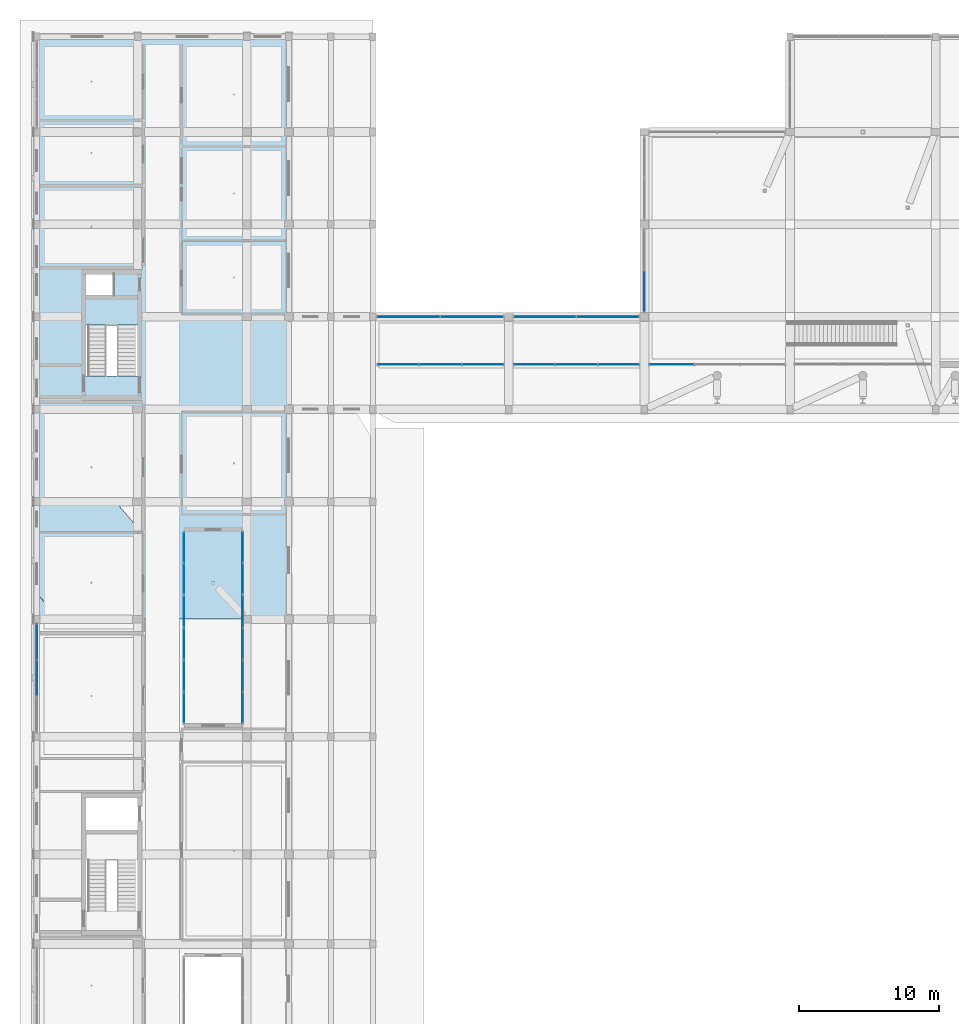
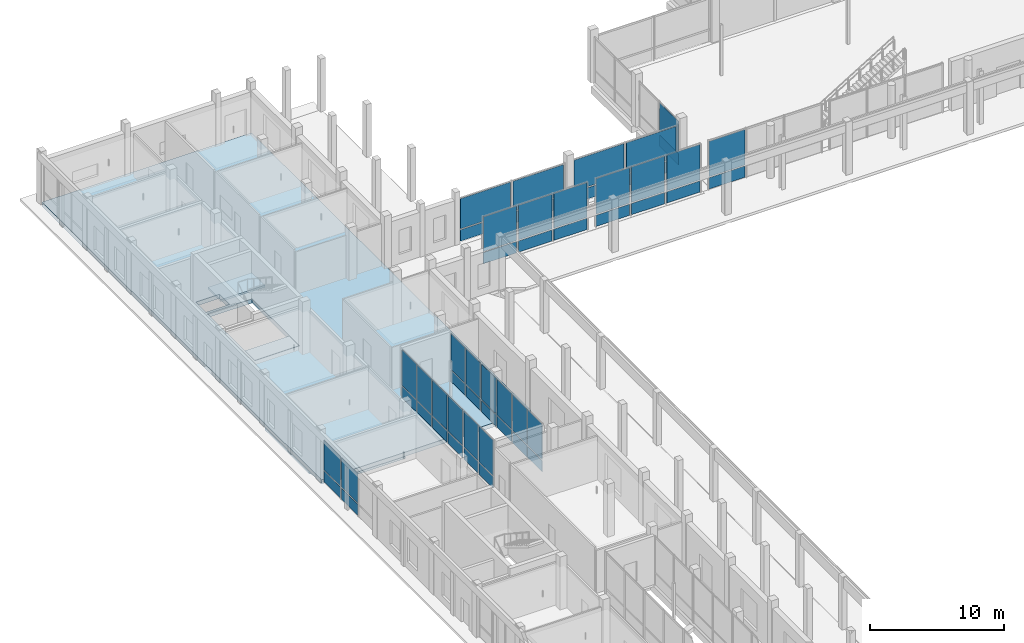
# One storey, part 41 of 88: 52 plates, 4 slabs, 14 elements without a shape of their own.
"""IFC4 building model written with IfcOpenShell, lengths in metres."""

import ifcopenshell
import ifcopenshell.guid

model = None  # the IFC model being written
_history = None  # IfcOwnerHistory: only IFC2X3 demands one
_inside = {}  # id of a spatial element -> (the spatial element, [elements in it])
_under = {}  # id of a project, library or spatial element -> (it, [spatial elements below it])
_declared = {}  # id of a project -> (the project, [libraries it declares])
_typed = {}  # id of a type object -> (the type object, [elements of that type])
_made_of = {}  # id of a material, layer set ... -> (it, [elements and type objects made of it])


def new_model(schema):
    """Start an empty IFC model of exactly this schema.

    Asked for "IFC4X3", IfcOpenShell would pick the latest addendum, in which some entities
    have other attributes; the version numbers below select the first issue.
    IFC2X3 requires an IfcOwnerHistory on every rooted entity: one is made here for all.
    """
    global model, _history
    if schema == "IFC4X3":
        model = ifcopenshell.file(schema_version=(4, 3, 0, 0))
    else:
        model = ifcopenshell.file(schema=schema)
    _inside.clear()
    _under.clear()
    _declared.clear()
    _typed.clear()
    _made_of.clear()
    _history = None
    if model.schema == "IFC2X3":
        org = make("IfcOrganization", Name="unknown")
        user = make(
            "IfcPersonAndOrganization",
            ThePerson=make("IfcPerson", FamilyName="unknown"),
            TheOrganization=org,
        )
        app = make(
            "IfcApplication",
            ApplicationDeveloper=org,
            Version="unknown",
            ApplicationFullName="unknown",
            ApplicationIdentifier="unknown",
        )
        _history = make(
            "IfcOwnerHistory",
            OwningUser=user,
            OwningApplication=app,
            ChangeAction="ADDED",
            CreationDate=0,
        )
    return model


def make(cls, **values):
    """One entity of the class cls with the attributes given. An attribute that is None is left unset."""
    return model.create_entity(
        cls, **{name: value for name, value in values.items() if value is not None}
    )


def rooted(cls, **values):
    """An entity with a GlobalId (a new one), such as an element, a storey or a relation."""
    return make(cls, GlobalId=ifcopenshell.guid.new(), OwnerHistory=_history, **values)


def si_unit(unit_type, name, prefix=None):
    """IfcSIUnit, for example si_unit("LENGTHUNIT", "METRE", prefix="MILLI")."""
    return make("IfcSIUnit", UnitType=unit_type, Prefix=prefix, Name=name)


def derived_unit(unit_type, elements):
    """IfcDerivedUnit: a product of units, each with its exponent."""
    return make(
        "IfcDerivedUnit",
        Elements=[
            make("IfcDerivedUnitElement", Unit=unit, Exponent=power)
            for unit, power in elements
        ],
        UnitType=unit_type,
    )


def assignment(units):
    """IfcUnitAssignment: the units of a project."""
    return None if units is None else make("IfcUnitAssignment", Units=units)


def point(xyz):
    """IfcCartesianPoint."""
    return None if xyz is None else make("IfcCartesianPoint", Coordinates=xyz)


def direction(xyz):
    """IfcDirection."""
    return None if xyz is None else make("IfcDirection", DirectionRatios=xyz)


def frame(location, z_axis=None, x_axis=None):
    """IfcAxis2Placement3D, a coordinate frame: its origin and axes. An axis left out is left unset."""
    return make(
        "IfcAxis2Placement3D",
        Location=point(location),
        Axis=direction(z_axis),
        RefDirection=direction(x_axis),
    )


def frame_2d(location, x_axis=None):
    """IfcAxis2Placement2D, a coordinate frame in the plane: its origin and x axis."""
    return make(
        "IfcAxis2Placement2D", Location=point(location), RefDirection=direction(x_axis)
    )


def origin():
    """The frame at (0, 0, 0) with its axes left unset."""
    return frame((0.0, 0.0, 0.0))


def origin_2d():
    """The frame at (0, 0) in the plane with its x axis left unset."""
    return frame_2d((0.0, 0.0))


def place(relative_to, where):
    """IfcLocalPlacement: puts the frame where relative to a parent placement (None: the world)."""
    return make(
        "IfcLocalPlacement", PlacementRelTo=relative_to, RelativePlacement=where
    )


def context(
    kind, dimensions, precision=None, world=None, true_north=None, identifier=None
):
    """IfcGeometricRepresentationContext, for example the 3D "Model" context."""
    return make(
        "IfcGeometricRepresentationContext",
        ContextIdentifier=identifier,
        ContextType=kind,
        CoordinateSpaceDimension=dimensions,
        Precision=precision,
        WorldCoordinateSystem=world,
        TrueNorth=true_north,
    )


def subcontext(parent, identifier, kind, view, scale=None):
    """IfcGeometricRepresentationSubContext, for example "Body" below "Model"."""
    return make(
        "IfcGeometricRepresentationSubContext",
        ContextIdentifier=identifier,
        ContextType=kind,
        ParentContext=parent,
        TargetScale=scale,
        TargetView=view,
    )


def project(units=None, contexts=None):
    """IfcProject with its units and contexts."""
    return rooted(
        "IfcProject",
        Name="project",
        RepresentationContexts=contexts,
        UnitsInContext=assignment(units),
    )


def spatial(cls, under=None, at=None, **own):
    """A site, building, storey or space (cls), placed at a placement, below another one or the project."""
    s = rooted(cls, ObjectPlacement=at, **own)
    if under is not None:
        _under.setdefault(under.id(), (under, []))[1].append(s)
    return s


def polyline(points):
    """IfcPolyline through the points."""
    return make("IfcPolyline", Points=[point(p) for p in points])


def profile(cls, at=None, kind="AREA", **sizes):
    """A parametric profile (cls). Its sizes go by their IFC names, for example OverallWidth=200.0."""
    return make(cls, ProfileType=kind, Position=at, **sizes)


def rectangle(**sizes):
    """IfcRectangleProfileDef."""
    return profile("IfcRectangleProfileDef", **sizes)


def outline(outer, holes=None, kind="AREA"):
    """IfcArbitraryClosedProfileDef: a profile drawn as a closed curve; with holes, ...WithVoids."""
    if holes is None:
        return make("IfcArbitraryClosedProfileDef", ProfileType=kind, OuterCurve=outer)
    return make(
        "IfcArbitraryProfileDefWithVoids",
        ProfileType=kind,
        OuterCurve=outer,
        InnerCurves=holes,
    )


def extrude(swept, where, along, depth):
    """IfcExtrudedAreaSolid: the profile swept, set in the frame where, extruded along a direction by depth."""
    return make(
        "IfcExtrudedAreaSolid",
        SweptArea=swept,
        Position=where,
        ExtrudedDirection=direction(along),
        Depth=depth,
    )


def shape(context_of_items, identifier, shape_type, items):
    """IfcShapeRepresentation: the items that make up one representation, for example the "Body"."""
    return make(
        "IfcShapeRepresentation",
        ContextOfItems=context_of_items,
        RepresentationIdentifier=identifier,
        RepresentationType=shape_type,
        Items=items,
    )


def material(Name=None, Category=None):
    """IfcMaterial."""
    return make("IfcMaterial", Name=Name, Category=Category)


def layer(
    of_material, thickness, ventilated=None, Name=None, Category=None, Priority=None
):
    """IfcMaterialLayer: one layer of a wall or slab, of a material (None: an air gap)."""
    return make(
        "IfcMaterialLayer",
        Material=of_material,
        LayerThickness=thickness,
        IsVentilated=ventilated,
        Name=Name,
        Category=Category,
        Priority=Priority,
    )


def layer_set(layers, Name=None):
    """IfcMaterialLayerSet."""
    return make("IfcMaterialLayerSet", MaterialLayers=layers, LayerSetName=Name)


def made_of(thing, what):
    """Note that an element or type object is made of a material, layer set ...; save() writes the relation."""
    if what is not None:
        _made_of.setdefault(what.id(), (what, []))[1].append(thing)
    return thing


def type_object(cls, material=None, **own):
    """A type object (cls), such as IfcWallType, which elements share."""
    return made_of(rooted(cls, **own), material)


def element(
    cls,
    number,
    at=None,
    inside=None,
    cuts=None,
    type_object=None,
    material=None,
    context=None,
    identifier="Body",
    shape_type=None,
    held_by="IfcProductDefinitionShape",
    body=None,
    shapes=None,
    **own,
):
    """One element of the class cls, such as IfcWall. Its Tag is "e" and its number.

    at: its placement. inside: the storey or other place that contains it. cuts: it is an
    opening in that element (IfcRelVoidsElement). A single representation is given by context,
    identifier, shape_type and body (its items); several are given by shapes. held_by: the class
    of the entity that holds the representations. save() writes the other relations.
    """
    e = rooted(cls, Tag="e%d" % number, ObjectPlacement=at, **own)
    if body is not None:
        shapes = [shape(context, identifier, shape_type, body)]
    if shapes is not None:
        e.Representation = make(held_by, Representations=shapes)
    if inside is not None:
        _inside.setdefault(inside.id(), (inside, []))[1].append(e)
    if cuts is not None:
        rooted(
            "IfcRelVoidsElement", RelatingBuildingElement=cuts, RelatedOpeningElement=e
        )
    if type_object is not None:
        _typed.setdefault(type_object.id(), (type_object, []))[1].append(e)
    return made_of(e, material)


def aggregate(whole, parts):
    """IfcRelAggregates: a whole, such as a stair, and the parts it consists of."""
    return rooted("IfcRelAggregates", RelatingObject=whole, RelatedObjects=parts)


def save(model, path):
    """Write the relations noted so far, then the file.

    IfcRelAggregates (storeys below a building ...), IfcRelContainedInSpatialStructure (elements
    in a storey), IfcRelDefinesByType, IfcRelAssociatesMaterial and IfcRelDeclares: one each for
    every whole, place, type object, material and project.
    """
    for whole, parts in _under.values():
        aggregate(whole, parts)
    for where, things in _inside.values():
        rooted(
            "IfcRelContainedInSpatialStructure",
            RelatedElements=things,
            RelatingStructure=where,
        )
    for kind, things in _typed.values():
        rooted("IfcRelDefinesByType", RelatedObjects=things, RelatingType=kind)
    for what, things in _made_of.values():
        rooted("IfcRelAssociatesMaterial", RelatedObjects=things, RelatingMaterial=what)
    for by, libraries in _declared.values():
        rooted("IfcRelDeclares", RelatingContext=by, RelatedDefinitions=libraries)
    model.write(path)


model = new_model("IFC4")

# Units and contexts
model_context = context("Model", 3, precision=1e-05, world=origin(), true_north=direction((0.0, 1.0)))
body_context = subcontext(model_context, "Body", "Model", "MODEL_VIEW")
ifc_project = project(units=[si_unit("LENGTHUNIT", "METRE"), si_unit("AREAUNIT", "SQUARE_METRE"), si_unit("VOLUMEUNIT", "CUBIC_METRE"), si_unit("PLANEANGLEUNIT", "RADIAN"), si_unit("MASSUNIT", "GRAM", prefix="KILO"), derived_unit("THERMALTRANSMITTANCEUNIT", [(si_unit("POWERUNIT", "WATT"), 1), (si_unit("LENGTHUNIT", "METRE"), -2), (si_unit("THERMODYNAMICTEMPERATUREUNIT", "KELVIN"), -1)])], contexts=[model_context])

# Site, building, storey
site_placement = place(None, origin())
site = spatial("IfcSite", under=ifc_project, at=site_placement, CompositionType="ELEMENT")
building_placement = place(site_placement, origin())
building = spatial("IfcBuilding", under=site, at=building_placement, Name="Braskholm Square Health Centre", CompositionType="ELEMENT")
storey_placement = place(building_placement, origin())
storey = spatial("IfcBuildingStorey", under=building, at=storey_placement, Name="L01", CompositionType="ELEMENT", Elevation=0.0)

# Curtain wall, plates
ifc_material_1 = material(Name="Low-E triple insulating glass (VLT 0.64)", Category="glass")
curtain_wall_type_1 = type_object("IfcCurtainWallType", Name="UnitisedCurtainWall4800x4400", PredefinedType="NOTDEFINED", material=ifc_material_1)
curtain_wall_1_placement = place(storey_placement, origin())
curtain_wall_1 = element("IfcCurtainWall", 1, at=curtain_wall_1_placement, inside=storey, type_object=curtain_wall_type_1, Name="WC2 Court W unitised curtain wall CW-L01-0285", PredefinedType="NOTDEFINED")
ifc_material_2 = material(Name="Architectural bronze anodised aluminium", Category="aluminium")
plate_type_1 = type_object("IfcPlateType", Name="CurtainPanelSpandrel2150x1020", PredefinedType="CURTAIN_PANEL", material=ifc_material_2)
plate_1_placement = place(storey_placement, frame((14.699951171875, 65.884033203125, 0.050048828125), z_axis=(0.0, 0.0, 1.0), x_axis=(0.0, 1.0, 0.0)))
plate_1 = element("IfcPlate", 2, at=plate_1_placement, type_object=plate_type_1, Name="CW-L01-0285 spandrel panel 1", PredefinedType="CURTAIN_PANEL", context=body_context, shape_type="SweptSolid", body=[
    extrude(rectangle(XDim=2.125244140625, YDim=0.035888671875, at=origin_2d()), origin(), (0.0, 0.0, 1.0), 1.02001953125),
])
plate_2_placement = place(storey_placement, frame((14.699951171875, 68.117919921875, 0.050048828125), z_axis=(0.0, 0.0, 1.0), x_axis=(0.0, 1.0, 0.0)))
plate_2 = element("IfcPlate", 3, at=plate_2_placement, type_object=plate_type_1, Name="CW-L01-0285 spandrel panel 2", PredefinedType="CURTAIN_PANEL", context=body_context, shape_type="SweptSolid", body=[
    extrude(rectangle(XDim=2.125244140625, YDim=0.035888671875, at=origin_2d()), origin(), (0.0, 0.0, 1.0), 1.02001953125),
])

curtain_wall_2_placement = place(storey_placement, origin())
curtain_wall_2 = element("IfcCurtainWall", 4, at=curtain_wall_2_placement, inside=storey, type_object=curtain_wall_type_1, Name="WC2 Court E unitised curtain wall CW-L01-0286", PredefinedType="NOTDEFINED")
plate_3_placement = place(storey_placement, frame((18.89990234375, 68.117919921875, 0.050048828125), z_axis=(0.0, 0.0, 1.0), x_axis=(0.0, -1.0, 0.0)))
plate_3 = element("IfcPlate", 5, at=plate_3_placement, type_object=plate_type_1, Name="CW-L01-0286 spandrel panel 1", PredefinedType="CURTAIN_PANEL", context=body_context, shape_type="SweptSolid", body=[
    extrude(rectangle(XDim=2.125244140625, YDim=0.035888671875, at=origin_2d()), origin(), (0.0, 0.0, 1.0), 1.02001953125),
])
plate_4_placement = place(storey_placement, frame((18.89990234375, 65.884033203125, 0.050048828125), z_axis=(0.0, 0.0, 1.0), x_axis=(0.0, -1.0, 0.0)))
plate_4 = element("IfcPlate", 6, at=plate_4_placement, type_object=plate_type_1, Name="CW-L01-0286 spandrel panel 2", PredefinedType="CURTAIN_PANEL", context=body_context, shape_type="SweptSolid", body=[
    extrude(rectangle(XDim=2.125244140625, YDim=0.035888671875, at=origin_2d()), origin(), (0.0, 0.0, 1.0), 1.02001953125),
])

curtain_wall_3_placement = place(storey_placement, origin())
curtain_wall_3 = element("IfcCurtainWall", 7, at=curtain_wall_3_placement, inside=storey, type_object=curtain_wall_type_1, Name="WC2 Court W unitised curtain wall CW-L01-0287", PredefinedType="NOTDEFINED")
plate_5_placement = place(storey_placement, frame((14.699951171875, 70.449951171875, 0.050048828125), z_axis=(0.0, 0.0, 1.0), x_axis=(0.0, 1.0, 0.0)))
plate_5 = element("IfcPlate", 8, at=plate_5_placement, type_object=plate_type_1, Name="CW-L01-0287 spandrel panel 1", PredefinedType="CURTAIN_PANEL", context=body_context, shape_type="SweptSolid", body=[
    extrude(rectangle(XDim=2.188232421875, YDim=0.035888671875, at=origin_2d()), origin(), (0.0, 0.0, 1.0), 1.02001953125),
])
plate_6_placement = place(storey_placement, frame((14.699951171875, 72.75, 0.050048828125), z_axis=(0.0, 0.0, 1.0), x_axis=(0.0, 1.0, 0.0)))
plate_6 = element("IfcPlate", 9, at=plate_6_placement, type_object=plate_type_1, Name="CW-L01-0287 spandrel panel 2", PredefinedType="CURTAIN_PANEL", context=body_context, shape_type="SweptSolid", body=[
    extrude(rectangle(XDim=2.188232421875, YDim=0.035888671875, at=origin_2d()), origin(), (0.0, 0.0, 1.0), 1.02001953125),
])

curtain_wall_4_placement = place(storey_placement, origin())
curtain_wall_4 = element("IfcCurtainWall", 10, at=curtain_wall_4_placement, inside=storey, type_object=curtain_wall_type_1, Name="WC2 Court E unitised curtain wall CW-L01-0288", PredefinedType="NOTDEFINED")
plate_7_placement = place(storey_placement, frame((18.89990234375, 72.75, 0.050048828125), z_axis=(0.0, 0.0, 1.0), x_axis=(0.0, -1.0, 0.0)))
plate_7 = element("IfcPlate", 11, at=plate_7_placement, type_object=plate_type_1, Name="CW-L01-0288 spandrel panel 1", PredefinedType="CURTAIN_PANEL", context=body_context, shape_type="SweptSolid", body=[
    extrude(rectangle(XDim=2.188232421875, YDim=0.035888671875, at=origin_2d()), origin(), (0.0, 0.0, 1.0), 1.02001953125),
])
plate_8_placement = place(storey_placement, frame((18.89990234375, 70.449951171875, 0.050048828125), z_axis=(0.0, 0.0, 1.0), x_axis=(0.0, -1.0, 0.0)))
plate_8 = element("IfcPlate", 12, at=plate_8_placement, type_object=plate_type_1, Name="CW-L01-0288 spandrel panel 2", PredefinedType="CURTAIN_PANEL", context=body_context, shape_type="SweptSolid", body=[
    extrude(rectangle(XDim=2.188232421875, YDim=0.035888671875, at=origin_2d()), origin(), (0.0, 0.0, 1.0), 1.02001953125),
])

curtain_wall_5_placement = place(storey_placement, origin())
curtain_wall_5 = element("IfcCurtainWall", 13, at=curtain_wall_5_placement, inside=storey, type_object=curtain_wall_type_1, Name="WC2 Court W unitised curtain wall CW-L01-0289", PredefinedType="NOTDEFINED")
plate_9_placement = place(storey_placement, frame((14.699951171875, 75.08203125, 0.050048828125), z_axis=(0.0, 0.0, 1.0), x_axis=(0.0, 1.0, 0.0)))
plate_9 = element("IfcPlate", 14, at=plate_9_placement, type_object=plate_type_1, Name="CW-L01-0289 spandrel panel 1", PredefinedType="CURTAIN_PANEL", context=body_context, shape_type="SweptSolid", body=[
    extrude(rectangle(XDim=2.125244140625, YDim=0.035888671875, at=origin_2d()), origin(), (0.0, 0.0, 1.0), 1.02001953125),
])
plate_10_placement = place(storey_placement, frame((14.699951171875, 77.31591796875, 0.050048828125), z_axis=(0.0, 0.0, 1.0), x_axis=(0.0, 1.0, 0.0)))
plate_10 = element("IfcPlate", 15, at=plate_10_placement, type_object=plate_type_1, Name="CW-L01-0289 spandrel panel 2", PredefinedType="CURTAIN_PANEL", context=body_context, shape_type="SweptSolid", body=[
    extrude(rectangle(XDim=2.125244140625, YDim=0.035888671875, at=origin_2d()), origin(), (0.0, 0.0, 1.0), 1.02001953125),
])

curtain_wall_6_placement = place(storey_placement, origin())
curtain_wall_6 = element("IfcCurtainWall", 16, at=curtain_wall_6_placement, inside=storey, type_object=curtain_wall_type_1, Name="WC2 Court E unitised curtain wall CW-L01-0290", PredefinedType="NOTDEFINED")
plate_11_placement = place(storey_placement, frame((18.89990234375, 77.31591796875, 0.050048828125), z_axis=(0.0, 0.0, 1.0), x_axis=(0.0, -1.0, 0.0)))
plate_11 = element("IfcPlate", 17, at=plate_11_placement, type_object=plate_type_1, Name="CW-L01-0290 spandrel panel 1", PredefinedType="CURTAIN_PANEL", context=body_context, shape_type="SweptSolid", body=[
    extrude(rectangle(XDim=2.125244140625, YDim=0.035888671875, at=origin_2d()), origin(), (0.0, 0.0, 1.0), 1.02001953125),
])
plate_12_placement = place(storey_placement, frame((18.89990234375, 75.08203125, 0.050048828125), z_axis=(0.0, 0.0, 1.0), x_axis=(0.0, -1.0, 0.0)))
plate_12 = element("IfcPlate", 18, at=plate_12_placement, type_object=plate_type_1, Name="CW-L01-0290 spandrel panel 2", PredefinedType="CURTAIN_PANEL", context=body_context, shape_type="SweptSolid", body=[
    extrude(rectangle(XDim=2.125244140625, YDim=0.035888671875, at=origin_2d()), origin(), (0.0, 0.0, 1.0), 1.02001953125),
])

curtain_wall_type_2 = type_object("IfcCurtainWallType", Name="UnitisedCurtainWall6200x4100", PredefinedType="NOTDEFINED", material=ifc_material_1)
curtain_wall_7_placement = place(storey_placement, origin())
curtain_wall_7 = element("IfcCurtainWall", 19, at=curtain_wall_7_placement, inside=storey, type_object=curtain_wall_type_2, Name="West Storefront unitised curtain wall CW-L01-0004", PredefinedType="NOTDEFINED")
plate_type_2 = type_object("IfcPlateType", Name="CurtainPanelSpandrel2750x1020", PredefinedType="CURTAIN_PANEL", material=ifc_material_2)
plate_13_placement = place(storey_placement, frame((4.199951171875, 70.606689453125, 0.050048828125), z_axis=(0.0, 0.0, 1.0), x_axis=(0.0, -1.0, 0.0)))
plate_13 = element("IfcPlate", 20, at=plate_13_placement, type_object=plate_type_2, Name="CW-L01-0004 spandrel panel 1", PredefinedType="CURTAIN_PANEL", context=body_context, shape_type="SweptSolid", body=[
    extrude(rectangle(XDim=2.4501953125, YDim=0.035888671875, at=origin_2d()), origin(), (0.0, 0.0, 1.0), 1.02001953125),
])
plate_14_placement = place(storey_placement, frame((4.199951171875, 68.0, 0.050048828125), z_axis=(0.0, 0.0, 1.0), x_axis=(0.0, -1.0, 0.0)))
plate_14 = element("IfcPlate", 21, at=plate_14_placement, type_object=plate_type_2, Name="CW-L01-0004 spandrel panel 2", PredefinedType="CURTAIN_PANEL", context=body_context, shape_type="SweptSolid", body=[
    extrude(rectangle(XDim=2.4501953125, YDim=0.035888671875, at=origin_2d()), origin(), (0.0, 0.0, 1.0), 1.02001953125),
])

curtain_wall_type_3 = type_object("IfcCurtainWallType", Name="UnitisedCurtainWall6200x4400", PredefinedType="NOTDEFINED", material=ifc_material_1)
curtain_wall_8_placement = place(storey_placement, origin())
curtain_wall_8 = element("IfcCurtainWall", 22, at=curtain_wall_8_placement, inside=storey, type_object=curtain_wall_type_3, Name="Hall Arcade unitised curtain wall CW-L01-0171", PredefinedType="NOTDEFINED")
plate_15_placement = place(storey_placement, frame((30.0166015625, 90.39990234375, 0.050048828125), z_axis=(0.0, 0.0, 1.0), x_axis=(1.0, 0.0, 0.0)))
plate_15 = element("IfcPlate", 23, at=plate_15_placement, type_object=plate_type_2, Name="CW-L01-0171 spandrel panel 1", PredefinedType="CURTAIN_PANEL", context=body_context, shape_type="SweptSolid", body=[
    extrude(rectangle(XDim=2.851318359375, YDim=0.035888671875, at=origin_2d()), origin(), (0.0, 0.0, 1.0), 1.02001953125),
])
plate_16_placement = place(storey_placement, frame((33.050048828125, 90.39990234375, 0.050048828125), z_axis=(0.0, 0.0, 1.0), x_axis=(1.0, 0.0, 0.0)))
plate_16 = element("IfcPlate", 24, at=plate_16_placement, type_object=plate_type_2, Name="CW-L01-0171 spandrel panel 2", PredefinedType="CURTAIN_PANEL", context=body_context, shape_type="SweptSolid", body=[
    extrude(rectangle(XDim=2.851318359375, YDim=0.035888671875, at=origin_2d()), origin(), (0.0, 0.0, 1.0), 1.02001953125),
])
plate_17_placement = place(storey_placement, frame((36.083251953125, 90.39990234375, 0.050048828125), z_axis=(0.0, 0.0, 1.0), x_axis=(1.0, 0.0, 0.0)))
plate_17 = element("IfcPlate", 25, at=plate_17_placement, type_object=plate_type_2, Name="CW-L01-0171 spandrel panel 3", PredefinedType="CURTAIN_PANEL", context=body_context, shape_type="SweptSolid", body=[
    extrude(rectangle(XDim=2.851318359375, YDim=0.035888671875, at=origin_2d()), origin(), (0.0, 0.0, 1.0), 1.02001953125),
])

curtain_wall_9_placement = place(storey_placement, origin())
curtain_wall_9 = element("IfcCurtainWall", 26, at=curtain_wall_9_placement, inside=storey, type_object=curtain_wall_type_3, Name="Hall Arcade unitised curtain wall CW-L01-0177", PredefinedType="NOTDEFINED")
plate_18_placement = place(storey_placement, frame((39.716796875, 90.39990234375, 0.050048828125), z_axis=(0.0, 0.0, 1.0), x_axis=(1.0, 0.0, 0.0)))
plate_18 = element("IfcPlate", 27, at=plate_18_placement, type_object=plate_type_2, Name="CW-L01-0177 spandrel panel 1", PredefinedType="CURTAIN_PANEL", context=body_context, shape_type="SweptSolid", body=[
    extrude(rectangle(XDim=2.851318359375, YDim=0.035888671875, at=origin_2d()), origin(), (0.0, 0.0, 1.0), 1.02001953125),
])
plate_19_placement = place(storey_placement, frame((42.75, 90.39990234375, 0.050048828125), z_axis=(0.0, 0.0, 1.0), x_axis=(1.0, 0.0, 0.0)))
plate_19 = element("IfcPlate", 28, at=plate_19_placement, type_object=plate_type_2, Name="CW-L01-0177 spandrel panel 2", PredefinedType="CURTAIN_PANEL", context=body_context, shape_type="SweptSolid", body=[
    extrude(rectangle(XDim=2.851318359375, YDim=0.035888671875, at=origin_2d()), origin(), (0.0, 0.0, 1.0), 1.02001953125),
])
plate_20_placement = place(storey_placement, frame((45.783203125, 90.39990234375, 0.050048828125), z_axis=(0.0, 0.0, 1.0), x_axis=(1.0, 0.0, 0.0)))
plate_20 = element("IfcPlate", 29, at=plate_20_placement, type_object=plate_type_2, Name="CW-L01-0177 spandrel panel 3", PredefinedType="CURTAIN_PANEL", context=body_context, shape_type="SweptSolid", body=[
    extrude(rectangle(XDim=2.851318359375, YDim=0.035888671875, at=origin_2d()), origin(), (0.0, 0.0, 1.0), 1.02001953125),
])

# Curtain wall, plate
curtain_wall_10_placement = place(storey_placement, origin())
curtain_wall_10 = element("IfcCurtainWall", 30, at=curtain_wall_10_placement, inside=storey, type_object=curtain_wall_type_2, Name="Hall Cheek L01 unitised curtain wall CW-L01-0218", PredefinedType="NOTDEFINED")
plate_21_placement = place(storey_placement, frame((47.60009765625, 95.617919921875, 0.050048828125), z_axis=(0.0, 0.0, 1.0), x_axis=(0.0, -1.0, 0.0)))
plate_21 = element("IfcPlate", 31, at=plate_21_placement, type_object=plate_type_2, Name="CW-L01-0218 spandrel panel 2", PredefinedType="CURTAIN_PANEL", context=body_context, shape_type="SweptSolid", body=[
    extrude(rectangle(XDim=2.820068359375, YDim=0.035888671875, at=origin_2d()), origin(), (0.0, 0.0, 1.0), 1.02001953125),
])

curtain_wall_11_placement = place(storey_placement, origin())
curtain_wall_11 = element("IfcCurtainWall", 32, at=curtain_wall_11_placement, inside=storey, type_object=curtain_wall_type_3, Name="Hall Arcade unitised curtain wall CW-L01-0183", PredefinedType="NOTDEFINED")
plate_type_3 = type_object("IfcPlateType", Name="CurtainPanelSpandrel3150x1020", PredefinedType="CURTAIN_PANEL", material=ifc_material_2)
plate_22_placement = place(storey_placement, frame((49.533203125, 90.39990234375, 0.050048828125), z_axis=(0.0, 0.0, 1.0), x_axis=(1.0, 0.0, 0.0)))
plate_22 = element("IfcPlate", 33, at=plate_22_placement, type_object=plate_type_3, Name="CW-L01-0183 spandrel panel 1", PredefinedType="CURTAIN_PANEL", context=body_context, shape_type="SweptSolid", body=[
    extrude(rectangle(XDim=3.07080078125, YDim=0.035888671875, at=origin_2d()), origin(), (0.0, 0.0, 1.0), 1.02001953125),
])

# Curtain wall, plates
curtain_wall_12_placement = place(storey_placement, origin())
curtain_wall_12 = element("IfcCurtainWall", 34, at=curtain_wall_12_placement, inside=storey, type_object=curtain_wall_type_2, Name="Portal North L01 unitised curtain wall CW-L01-0174", PredefinedType="NOTDEFINED")
plate_type_4 = type_object("IfcPlateType", Name="CurtainPanelSpandrel4350x1020", PredefinedType="CURTAIN_PANEL", material=ifc_material_2)
plate_23_placement = place(storey_placement, frame((35.276611328125, 93.800048828125, 0.050048828125), z_axis=(0.0, 0.0, 1.0), x_axis=(-1.0, 0.0, 0.0)))
plate_23 = element("IfcPlate", 35, at=plate_23_placement, type_object=plate_type_4, Name="CW-L01-0174 spandrel panel 1", PredefinedType="CURTAIN_PANEL", context=body_context, shape_type="SweptSolid", body=[
    extrude(rectangle(XDim=4.312744140625, YDim=0.035888671875, at=origin_2d()), origin(), (0.0, 0.0, 1.0), 1.02001953125),
])
plate_24_placement = place(storey_placement, frame((30.743408203125, 93.800048828125, 0.050048828125), z_axis=(0.0, 0.0, 1.0), x_axis=(-1.0, 0.0, 0.0)))
plate_24 = element("IfcPlate", 36, at=plate_24_placement, type_object=plate_type_4, Name="CW-L01-0174 spandrel panel 2", PredefinedType="CURTAIN_PANEL", context=body_context, shape_type="SweptSolid", body=[
    extrude(rectangle(XDim=4.312744140625, YDim=0.035888671875, at=origin_2d()), origin(), (0.0, 0.0, 1.0), 1.02001953125),
])

curtain_wall_13_placement = place(storey_placement, origin())
curtain_wall_13 = element("IfcCurtainWall", 37, at=curtain_wall_13_placement, inside=storey, type_object=curtain_wall_type_2, Name="Portal North L01 unitised curtain wall CW-L01-0180", PredefinedType="NOTDEFINED")
plate_25_placement = place(storey_placement, frame((44.99658203125, 93.800048828125, 0.050048828125), z_axis=(0.0, 0.0, 1.0), x_axis=(-1.0, 0.0, 0.0)))
plate_25 = element("IfcPlate", 38, at=plate_25_placement, type_object=plate_type_4, Name="CW-L01-0180 spandrel panel 1", PredefinedType="CURTAIN_PANEL", context=body_context, shape_type="SweptSolid", body=[
    extrude(rectangle(XDim=4.275146484375, YDim=0.035888671875, at=origin_2d()), origin(), (0.0, 0.0, 1.0), 1.02001953125),
])
plate_26_placement = place(storey_placement, frame((40.50341796875, 93.800048828125, 0.050048828125), z_axis=(0.0, 0.0, 1.0), x_axis=(-1.0, 0.0, 0.0)))
plate_26 = element("IfcPlate", 39, at=plate_26_placement, type_object=plate_type_4, Name="CW-L01-0180 spandrel panel 2", PredefinedType="CURTAIN_PANEL", context=body_context, shape_type="SweptSolid", body=[
    extrude(rectangle(XDim=4.275146484375, YDim=0.035888671875, at=origin_2d()), origin(), (0.0, 0.0, 1.0), 1.02001953125),
])

# Plate
plate_type_5 = type_object("IfcPlateType", Name="CurtainPanelVision2150x2950", PredefinedType="CURTAIN_PANEL", material=ifc_material_1)
plate_27_placement = place(storey_placement, frame((14.699951171875, 65.884033203125, 1.169921875), z_axis=(0.0, 0.0, 1.0), x_axis=(0.0, 1.0, 0.0)))
plate_27 = element("IfcPlate", 40, at=plate_27_placement, type_object=plate_type_5, Name="CW-L01-0285 vision glass panel 1", PredefinedType="CURTAIN_PANEL", context=body_context, shape_type="SweptSolid", body=[
    extrude(rectangle(XDim=2.125244140625, YDim=0.035888671875, at=origin_2d()), origin(), (0.0, 0.0, 1.0), 3.219970703125),
])

plate_28_placement = place(storey_placement, frame((14.699951171875, 68.117919921875, 1.169921875), z_axis=(0.0, 0.0, 1.0), x_axis=(0.0, 1.0, 0.0)))
plate_28 = element("IfcPlate", 41, at=plate_28_placement, type_object=plate_type_5, Name="CW-L01-0285 vision glass panel 2", PredefinedType="CURTAIN_PANEL", context=body_context, shape_type="SweptSolid", body=[
    extrude(rectangle(XDim=2.125244140625, YDim=0.035888671875, at=origin_2d()), origin(), (0.0, 0.0, 1.0), 3.219970703125),
])

aggregate(curtain_wall_1, [plate_1, plate_27, plate_2, plate_28])

plate_29_placement = place(storey_placement, frame((18.89990234375, 68.117919921875, 1.169921875), z_axis=(0.0, 0.0, 1.0), x_axis=(0.0, -1.0, 0.0)))
plate_29 = element("IfcPlate", 42, at=plate_29_placement, type_object=plate_type_5, Name="CW-L01-0286 vision glass panel 1", PredefinedType="CURTAIN_PANEL", context=body_context, shape_type="SweptSolid", body=[
    extrude(rectangle(XDim=2.125244140625, YDim=0.035888671875, at=origin_2d()), origin(), (0.0, 0.0, 1.0), 3.219970703125),
])

plate_30_placement = place(storey_placement, frame((18.89990234375, 65.884033203125, 1.169921875), z_axis=(0.0, 0.0, 1.0), x_axis=(0.0, -1.0, 0.0)))
plate_30 = element("IfcPlate", 43, at=plate_30_placement, type_object=plate_type_5, Name="CW-L01-0286 vision glass panel 2", PredefinedType="CURTAIN_PANEL", context=body_context, shape_type="SweptSolid", body=[
    extrude(rectangle(XDim=2.125244140625, YDim=0.035888671875, at=origin_2d()), origin(), (0.0, 0.0, 1.0), 3.219970703125),
])

aggregate(curtain_wall_2, [plate_3, plate_29, plate_4, plate_30])

plate_31_placement = place(storey_placement, frame((14.699951171875, 70.449951171875, 1.169921875), z_axis=(0.0, 0.0, 1.0), x_axis=(0.0, 1.0, 0.0)))
plate_31 = element("IfcPlate", 44, at=plate_31_placement, type_object=plate_type_5, Name="CW-L01-0287 vision glass panel 1", PredefinedType="CURTAIN_PANEL", context=body_context, shape_type="SweptSolid", body=[
    extrude(rectangle(XDim=2.188232421875, YDim=0.035888671875, at=origin_2d()), origin(), (0.0, 0.0, 1.0), 3.219970703125),
])

plate_32_placement = place(storey_placement, frame((14.699951171875, 72.75, 1.169921875), z_axis=(0.0, 0.0, 1.0), x_axis=(0.0, 1.0, 0.0)))
plate_32 = element("IfcPlate", 45, at=plate_32_placement, type_object=plate_type_5, Name="CW-L01-0287 vision glass panel 2", PredefinedType="CURTAIN_PANEL", context=body_context, shape_type="SweptSolid", body=[
    extrude(rectangle(XDim=2.188232421875, YDim=0.035888671875, at=origin_2d()), origin(), (0.0, 0.0, 1.0), 3.219970703125),
])

aggregate(curtain_wall_3, [plate_5, plate_31, plate_6, plate_32])

plate_33_placement = place(storey_placement, frame((18.89990234375, 72.75, 1.169921875), z_axis=(0.0, 0.0, 1.0), x_axis=(0.0, -1.0, 0.0)))
plate_33 = element("IfcPlate", 46, at=plate_33_placement, type_object=plate_type_5, Name="CW-L01-0288 vision glass panel 1", PredefinedType="CURTAIN_PANEL", context=body_context, shape_type="SweptSolid", body=[
    extrude(rectangle(XDim=2.188232421875, YDim=0.035888671875, at=origin_2d()), origin(), (0.0, 0.0, 1.0), 3.219970703125),
])

plate_34_placement = place(storey_placement, frame((18.89990234375, 70.449951171875, 1.169921875), z_axis=(0.0, 0.0, 1.0), x_axis=(0.0, -1.0, 0.0)))
plate_34 = element("IfcPlate", 47, at=plate_34_placement, type_object=plate_type_5, Name="CW-L01-0288 vision glass panel 2", PredefinedType="CURTAIN_PANEL", context=body_context, shape_type="SweptSolid", body=[
    extrude(rectangle(XDim=2.188232421875, YDim=0.035888671875, at=origin_2d()), origin(), (0.0, 0.0, 1.0), 3.219970703125),
])

aggregate(curtain_wall_4, [plate_7, plate_33, plate_8, plate_34])

plate_35_placement = place(storey_placement, frame((14.699951171875, 75.08203125, 1.169921875), z_axis=(0.0, 0.0, 1.0), x_axis=(0.0, 1.0, 0.0)))
plate_35 = element("IfcPlate", 48, at=plate_35_placement, type_object=plate_type_5, Name="CW-L01-0289 vision glass panel 1", PredefinedType="CURTAIN_PANEL", context=body_context, shape_type="SweptSolid", body=[
    extrude(rectangle(XDim=2.125244140625, YDim=0.035888671875, at=origin_2d()), origin(), (0.0, 0.0, 1.0), 3.219970703125),
])

plate_36_placement = place(storey_placement, frame((14.699951171875, 77.31591796875, 1.169921875), z_axis=(0.0, 0.0, 1.0), x_axis=(0.0, 1.0, 0.0)))
plate_36 = element("IfcPlate", 49, at=plate_36_placement, type_object=plate_type_5, Name="CW-L01-0289 vision glass panel 2", PredefinedType="CURTAIN_PANEL", context=body_context, shape_type="SweptSolid", body=[
    extrude(rectangle(XDim=2.125244140625, YDim=0.035888671875, at=origin_2d()), origin(), (0.0, 0.0, 1.0), 3.219970703125),
])

aggregate(curtain_wall_5, [plate_9, plate_35, plate_10, plate_36])

plate_37_placement = place(storey_placement, frame((18.89990234375, 77.31591796875, 1.169921875), z_axis=(0.0, 0.0, 1.0), x_axis=(0.0, -1.0, 0.0)))
plate_37 = element("IfcPlate", 50, at=plate_37_placement, type_object=plate_type_5, Name="CW-L01-0290 vision glass panel 1", PredefinedType="CURTAIN_PANEL", context=body_context, shape_type="SweptSolid", body=[
    extrude(rectangle(XDim=2.125244140625, YDim=0.035888671875, at=origin_2d()), origin(), (0.0, 0.0, 1.0), 3.219970703125),
])

plate_38_placement = place(storey_placement, frame((18.89990234375, 75.08203125, 1.169921875), z_axis=(0.0, 0.0, 1.0), x_axis=(0.0, -1.0, 0.0)))
plate_38 = element("IfcPlate", 51, at=plate_38_placement, type_object=plate_type_5, Name="CW-L01-0290 vision glass panel 2", PredefinedType="CURTAIN_PANEL", context=body_context, shape_type="SweptSolid", body=[
    extrude(rectangle(XDim=2.125244140625, YDim=0.035888671875, at=origin_2d()), origin(), (0.0, 0.0, 1.0), 3.219970703125),
])

aggregate(curtain_wall_6, [plate_11, plate_37, plate_12, plate_38])

plate_type_6 = type_object("IfcPlateType", Name="CurtainPanelVision2750x2520", PredefinedType="CURTAIN_PANEL", material=ifc_material_1)
plate_39_placement = place(storey_placement, frame((4.199951171875, 70.606689453125, 1.169921875), z_axis=(0.0, 0.0, 1.0), x_axis=(0.0, -1.0, 0.0)))
plate_39 = element("IfcPlate", 52, at=plate_39_placement, type_object=plate_type_6, Name="CW-L01-0004 vision glass panel 1", PredefinedType="CURTAIN_PANEL", context=body_context, shape_type="SweptSolid", body=[
    extrude(rectangle(XDim=2.4501953125, YDim=0.035888671875, at=origin_2d()), origin(), (0.0, 0.0, 1.0), 2.669921875),
])

plate_40_placement = place(storey_placement, frame((4.199951171875, 68.0, 1.169921875), z_axis=(0.0, 0.0, 1.0), x_axis=(0.0, -1.0, 0.0)))
plate_40 = element("IfcPlate", 53, at=plate_40_placement, type_object=plate_type_6, Name="CW-L01-0004 vision glass panel 2", PredefinedType="CURTAIN_PANEL", context=body_context, shape_type="SweptSolid", body=[
    extrude(rectangle(XDim=2.4501953125, YDim=0.035888671875, at=origin_2d()), origin(), (0.0, 0.0, 1.0), 2.669921875),
])

aggregate(curtain_wall_7, [plate_13, plate_39, plate_14, plate_40])

plate_type_7 = type_object("IfcPlateType", Name="CurtainPanelVision2750x2950", PredefinedType="CURTAIN_PANEL", material=ifc_material_1)
plate_41_placement = place(storey_placement, frame((30.0166015625, 90.39990234375, 1.169921875), z_axis=(0.0, 0.0, 1.0), x_axis=(1.0, 0.0, 0.0)))
plate_41 = element("IfcPlate", 54, at=plate_41_placement, type_object=plate_type_7, Name="CW-L01-0171 vision glass panel 1", PredefinedType="CURTAIN_PANEL", context=body_context, shape_type="SweptSolid", body=[
    extrude(rectangle(XDim=2.851318359375, YDim=0.035888671875, at=origin_2d()), origin(), (0.0, 0.0, 1.0), 3.139892578125),
])

plate_42_placement = place(storey_placement, frame((33.050048828125, 90.39990234375, 1.169921875), z_axis=(0.0, 0.0, 1.0), x_axis=(1.0, 0.0, 0.0)))
plate_42 = element("IfcPlate", 55, at=plate_42_placement, type_object=plate_type_7, Name="CW-L01-0171 vision glass panel 2", PredefinedType="CURTAIN_PANEL", context=body_context, shape_type="SweptSolid", body=[
    extrude(rectangle(XDim=2.851318359375, YDim=0.035888671875, at=origin_2d()), origin(), (0.0, 0.0, 1.0), 3.139892578125),
])

plate_43_placement = place(storey_placement, frame((36.083251953125, 90.39990234375, 1.169921875), z_axis=(0.0, 0.0, 1.0), x_axis=(1.0, 0.0, 0.0)))
plate_43 = element("IfcPlate", 56, at=plate_43_placement, type_object=plate_type_7, Name="CW-L01-0171 vision glass panel 3", PredefinedType="CURTAIN_PANEL", context=body_context, shape_type="SweptSolid", body=[
    extrude(rectangle(XDim=2.851318359375, YDim=0.035888671875, at=origin_2d()), origin(), (0.0, 0.0, 1.0), 3.139892578125),
])

aggregate(curtain_wall_8, [plate_15, plate_41, plate_16, plate_42, plate_17, plate_43])

plate_44_placement = place(storey_placement, frame((39.716796875, 90.39990234375, 1.169921875), z_axis=(0.0, 0.0, 1.0), x_axis=(1.0, 0.0, 0.0)))
plate_44 = element("IfcPlate", 57, at=plate_44_placement, type_object=plate_type_7, Name="CW-L01-0177 vision glass panel 1", PredefinedType="CURTAIN_PANEL", context=body_context, shape_type="SweptSolid", body=[
    extrude(rectangle(XDim=2.851318359375, YDim=0.035888671875, at=origin_2d()), origin(), (0.0, 0.0, 1.0), 3.219970703125),
])

plate_45_placement = place(storey_placement, frame((42.75, 90.39990234375, 1.169921875), z_axis=(0.0, 0.0, 1.0), x_axis=(1.0, 0.0, 0.0)))
plate_45 = element("IfcPlate", 58, at=plate_45_placement, type_object=plate_type_7, Name="CW-L01-0177 vision glass panel 2", PredefinedType="CURTAIN_PANEL", context=body_context, shape_type="SweptSolid", body=[
    extrude(rectangle(XDim=2.851318359375, YDim=0.035888671875, at=origin_2d()), origin(), (0.0, 0.0, 1.0), 3.219970703125),
])

plate_46_placement = place(storey_placement, frame((45.783203125, 90.39990234375, 1.169921875), z_axis=(0.0, 0.0, 1.0), x_axis=(1.0, 0.0, 0.0)))
plate_46 = element("IfcPlate", 59, at=plate_46_placement, type_object=plate_type_7, Name="CW-L01-0177 vision glass panel 3", PredefinedType="CURTAIN_PANEL", context=body_context, shape_type="SweptSolid", body=[
    extrude(rectangle(XDim=2.851318359375, YDim=0.035888671875, at=origin_2d()), origin(), (0.0, 0.0, 1.0), 3.219970703125),
])

aggregate(curtain_wall_9, [plate_18, plate_44, plate_19, plate_45, plate_20, plate_46])

plate_47_placement = place(storey_placement, frame((47.60009765625, 95.617919921875, 1.169921875), z_axis=(0.0, 0.0, 1.0), x_axis=(0.0, -1.0, 0.0)))
plate_47 = element("IfcPlate", 60, at=plate_47_placement, type_object=plate_type_7, Name="CW-L01-0218 vision glass panel 2", PredefinedType="CURTAIN_PANEL", context=body_context, shape_type="SweptSolid", body=[
    extrude(rectangle(XDim=2.820068359375, YDim=0.035888671875, at=origin_2d()), origin(), (0.0, 0.0, 1.0), 2.840087890625),
])

aggregate(curtain_wall_10, [plate_21, plate_47])

plate_type_8 = type_object("IfcPlateType", Name="CurtainPanelVision3150x2950", PredefinedType="CURTAIN_PANEL", material=ifc_material_1)
plate_48_placement = place(storey_placement, frame((49.533203125, 90.39990234375, 1.169921875), z_axis=(0.0, 0.0, 1.0), x_axis=(1.0, 0.0, 0.0)))
plate_48 = element("IfcPlate", 61, at=plate_48_placement, type_object=plate_type_8, Name="CW-L01-0183 vision glass panel 1", PredefinedType="CURTAIN_PANEL", context=body_context, shape_type="SweptSolid", body=[
    extrude(rectangle(XDim=3.07080078125, YDim=0.035888671875, at=origin_2d()), origin(), (0.0, 0.0, 1.0), 3.219970703125),
])

aggregate(curtain_wall_11, [plate_22, plate_48])

plate_type_9 = type_object("IfcPlateType", Name="CurtainPanelVision4350x2950", PredefinedType="CURTAIN_PANEL", material=ifc_material_1)
plate_49_placement = place(storey_placement, frame((35.276611328125, 93.800048828125, 1.169921875), z_axis=(0.0, 0.0, 1.0), x_axis=(-1.0, 0.0, 0.0)))
plate_49 = element("IfcPlate", 62, at=plate_49_placement, type_object=plate_type_9, Name="CW-L01-0174 vision glass panel 1", PredefinedType="CURTAIN_PANEL", context=body_context, shape_type="SweptSolid", body=[
    extrude(rectangle(XDim=4.312744140625, YDim=0.035888671875, at=origin_2d()), origin(), (0.0, 0.0, 1.0), 2.739990234375),
])

plate_50_placement = place(storey_placement, frame((30.743408203125, 93.800048828125, 1.169921875), z_axis=(0.0, 0.0, 1.0), x_axis=(-1.0, 0.0, 0.0)))
plate_50 = element("IfcPlate", 63, at=plate_50_placement, type_object=plate_type_9, Name="CW-L01-0174 vision glass panel 2", PredefinedType="CURTAIN_PANEL", context=body_context, shape_type="SweptSolid", body=[
    extrude(rectangle(XDim=4.312744140625, YDim=0.035888671875, at=origin_2d()), origin(), (0.0, 0.0, 1.0), 2.739990234375),
])

aggregate(curtain_wall_12, [plate_23, plate_49, plate_24, plate_50])

plate_51_placement = place(storey_placement, frame((44.99658203125, 93.800048828125, 1.169921875), z_axis=(0.0, 0.0, 1.0), x_axis=(-1.0, 0.0, 0.0)))
plate_51 = element("IfcPlate", 64, at=plate_51_placement, type_object=plate_type_9, Name="CW-L01-0180 vision glass panel 1", PredefinedType="CURTAIN_PANEL", context=body_context, shape_type="SweptSolid", body=[
    extrude(rectangle(XDim=4.275146484375, YDim=0.035888671875, at=origin_2d()), origin(), (0.0, 0.0, 1.0), 2.820068359375),
])

plate_52_placement = place(storey_placement, frame((40.50341796875, 93.800048828125, 1.169921875), z_axis=(0.0, 0.0, 1.0), x_axis=(-1.0, 0.0, 0.0)))
plate_52 = element("IfcPlate", 65, at=plate_52_placement, type_object=plate_type_9, Name="CW-L01-0180 vision glass panel 2", PredefinedType="CURTAIN_PANEL", context=body_context, shape_type="SweptSolid", body=[
    extrude(rectangle(XDim=4.275146484375, YDim=0.035888671875, at=origin_2d()), origin(), (0.0, 0.0, 1.0), 2.820068359375),
])

aggregate(curtain_wall_13, [plate_25, plate_51, plate_26, plate_52])

# Slabs
ifc_material_3 = material(Name="Concrete C35/45 (f'c = 35 MPa)", Category="concrete")
ifc_layer_1 = layer(ifc_material_3, 0.3798828125)
ifc_layer_set_1 = layer_set([ifc_layer_1], Name="Concrete C35/45 (f'c = 35 MPa)")
slab_type_1 = type_object("IfcSlabType", Name="ImagingVibrationFlatSlab380", PredefinedType="FLOOR", material=ifc_layer_set_1)
slab_1_placement = place(storey_placement, frame((0.0, 0.0, -0.3798828125)))
element("IfcSlab", 66, at=slab_1_placement, inside=storey, type_object=slab_type_1, Name="Level L01 V5 Diagnostic radiography and ultrasound slab", PredefinedType="FLOOR", context=body_context, shape_type="SweptSolid", body=[
    extrude(outline(polyline([(4.199951171875, 72.199951171875), (22.199951171875, 72.199951171875), (22.199951171875, 113.800048828125), (4.199951171875, 113.800048828125), (4.199951171875, 72.199951171875)]), holes=[polyline([(7.6298828125, 88.080078125), (11.469970703125, 88.080078125), (11.469970703125, 95.1201171875), (7.6298828125, 95.1201171875), (7.6298828125, 88.080078125)]), polyline([(7.6298828125, 95.35009765625), (9.64990234375, 95.35009765625), (9.64990234375, 96.85009765625), (7.6298828125, 96.85009765625), (7.6298828125, 95.35009765625)])]), origin(), (0.0, 0.0, 1.0), 0.3798828125),
])
ifc_layer_2 = layer(ifc_material_3, 0.199951171875)
ifc_layer_set_2 = layer_set([ifc_layer_2], Name="Concrete C35/45 (f'c = 35 MPa)")
slab_type_2 = type_object("IfcSlabType", Name="PunchingDropPanel200", PredefinedType="USERDEFINED", material=ifc_layer_set_2)
slab_2_placement = place(storey_placement, frame((0.0, 0.0, -0.580078125)))
element("IfcSlab", 67, at=slab_2_placement, inside=storey, type_object=slab_type_2, Name="Thickened vibration drop panel 002 L01", ObjectType="DROPPANEL", PredefinedType="USERDEFINED", context=body_context, shape_type="SweptSolid", body=[
    extrude(outline(polyline([(5.783935546875, 72.199951171875), (11.39990234375, 72.199951171875), (11.39990234375, 78.751953125), (9.81591796875, 80.60009765625), (4.199951171875, 80.60009765625), (4.199951171875, 74.048095703125), (5.783935546875, 72.199951171875)])), origin(), (0.0, 0.0, 1.0), 0.2001953125),
])

# Stair, slabs
stair_type = type_object("IfcStairType", Name="ExitReturnStairL01", PredefinedType="HALF_TURN_STAIR", material=ifc_material_3)
stair_placement = place(storey_placement, origin())
stair = element("IfcStair", 68, at=stair_placement, inside=storey, type_object=stair_type, Name="Enclosed exit stair ST-03 L01 to L02", PredefinedType="HALF_TURN_STAIR")
ifc_layer_3 = layer(ifc_material_3, 0.179931640625)
ifc_layer_set_3 = layer_set([ifc_layer_3], Name="Concrete C35/45 (f'c = 35 MPa)")
slab_type_3 = type_object("IfcSlabType", Name="StairLandingSlab180", PredefinedType="LANDING", material=ifc_layer_set_3)
slab_3_placement = place(storey_placement, frame((0.0, 0.0, 2.219970703125)))
slab_3 = element("IfcSlab", 69, at=slab_3_placement, type_object=slab_type_3, Name="Stair ST-03 half-landing L01", PredefinedType="LANDING", context=body_context, shape_type="SweptSolid", body=[
    extrude(outline(polyline([(7.64990234375, 93.199951171875), (11.449951171875, 93.199951171875), (11.449951171875, 95.10009765625), (7.64990234375, 95.10009765625), (7.64990234375, 93.199951171875)])), origin(), (0.0, 0.0, 1.0), 0.179931640625),
])
slab_4_placement = place(storey_placement, frame((0.0, 0.0, -0.179931640625)))
slab_4 = element("IfcSlab", 70, at=slab_4_placement, type_object=slab_type_3, Name="Stair ST-03 floor landing L01", PredefinedType="LANDING", context=body_context, shape_type="SweptSolid", body=[
    extrude(outline(polyline([(7.64990234375, 88.10009765625), (11.449951171875, 88.10009765625), (11.449951171875, 89.56005859375), (7.64990234375, 89.56005859375), (7.64990234375, 88.10009765625)])), origin(), (0.0, 0.0, 1.0), 0.179931640625),
])
aggregate(stair, [slab_3, slab_4])

save(model, "model.ifc")
